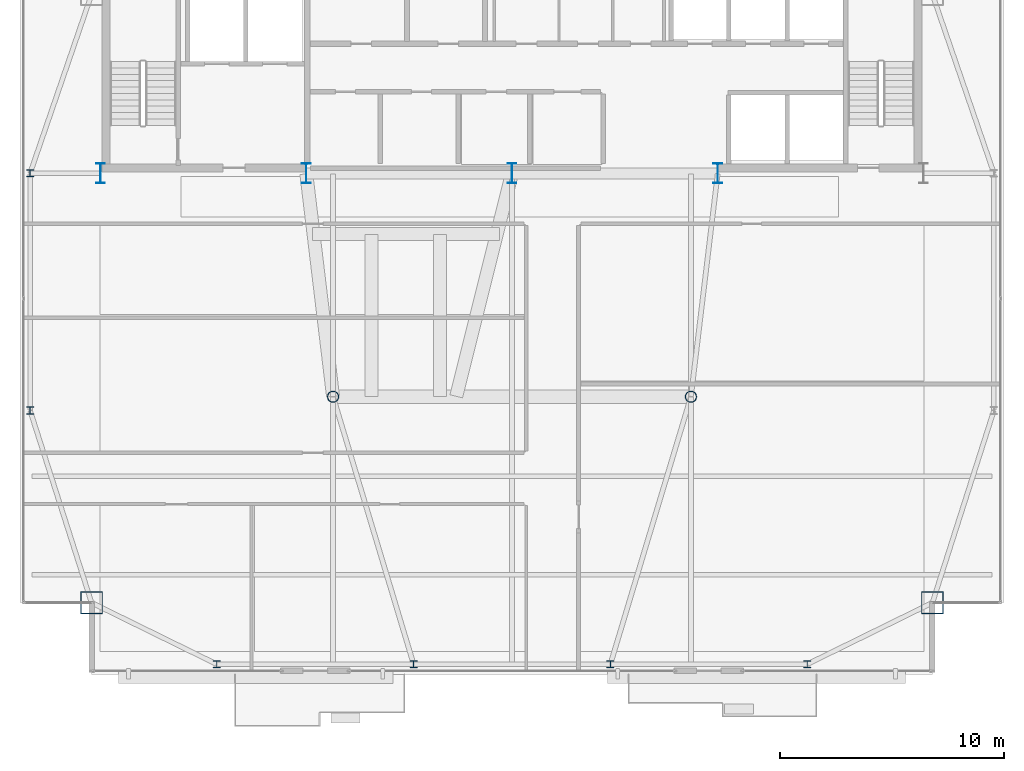
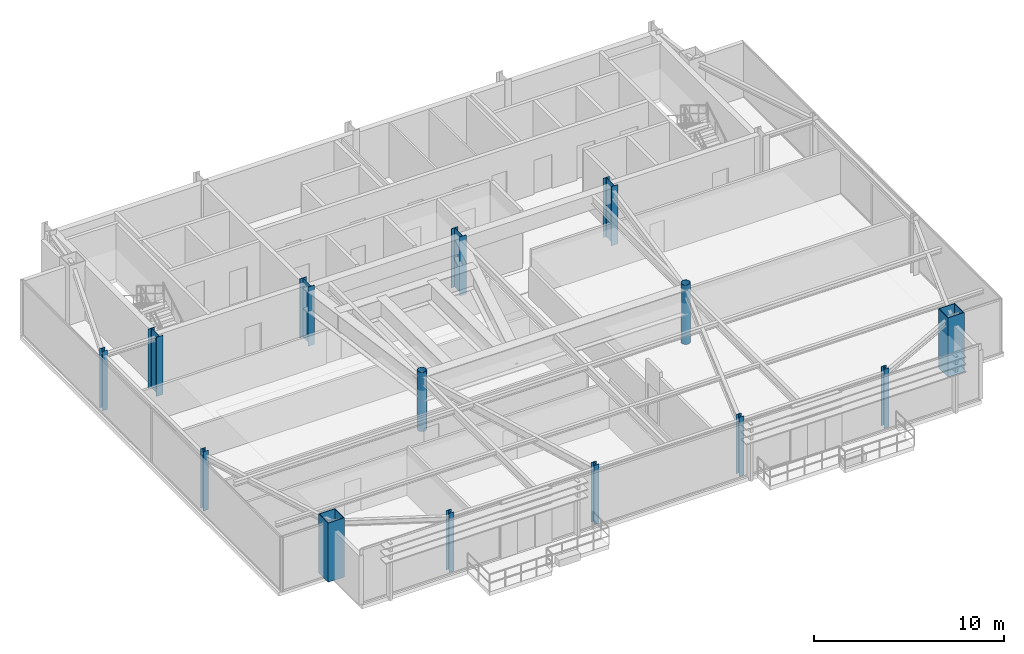
# One storey, part 1 of 21: 14 columns.
"""IFC4 building model written with IfcOpenShell, lengths in metres."""

import ifcopenshell
import ifcopenshell.guid

model = None  # the IFC model being written
_history = None  # IfcOwnerHistory: only IFC2X3 demands one
_inside = {}  # id of a spatial element -> (the spatial element, [elements in it])
_under = {}  # id of a project, library or spatial element -> (it, [spatial elements below it])
_declared = {}  # id of a project -> (the project, [libraries it declares])
_typed = {}  # id of a type object -> (the type object, [elements of that type])
_made_of = {}  # id of a material, layer set ... -> (it, [elements and type objects made of it])


def new_model(schema):
    """Start an empty IFC model of exactly this schema.

    Asked for "IFC4X3", IfcOpenShell would pick the latest addendum, in which some entities
    have other attributes; the version numbers below select the first issue.
    IFC2X3 requires an IfcOwnerHistory on every rooted entity: one is made here for all.
    """
    global model, _history
    if schema == "IFC4X3":
        model = ifcopenshell.file(schema_version=(4, 3, 0, 0))
    else:
        model = ifcopenshell.file(schema=schema)
    _inside.clear()
    _under.clear()
    _declared.clear()
    _typed.clear()
    _made_of.clear()
    _history = None
    if model.schema == "IFC2X3":
        org = make("IfcOrganization", Name="unknown")
        user = make(
            "IfcPersonAndOrganization",
            ThePerson=make("IfcPerson", FamilyName="unknown"),
            TheOrganization=org,
        )
        app = make(
            "IfcApplication",
            ApplicationDeveloper=org,
            Version="unknown",
            ApplicationFullName="unknown",
            ApplicationIdentifier="unknown",
        )
        _history = make(
            "IfcOwnerHistory",
            OwningUser=user,
            OwningApplication=app,
            ChangeAction="ADDED",
            CreationDate=0,
        )
    return model


def make(cls, **values):
    """One entity of the class cls with the attributes given. An attribute that is None is left unset."""
    return model.create_entity(
        cls, **{name: value for name, value in values.items() if value is not None}
    )


def rooted(cls, **values):
    """An entity with a GlobalId (a new one), such as an element, a storey or a relation."""
    return make(cls, GlobalId=ifcopenshell.guid.new(), OwnerHistory=_history, **values)


def si_unit(unit_type, name, prefix=None):
    """IfcSIUnit, for example si_unit("LENGTHUNIT", "METRE", prefix="MILLI")."""
    return make("IfcSIUnit", UnitType=unit_type, Prefix=prefix, Name=name)


def assignment(units):
    """IfcUnitAssignment: the units of a project."""
    return None if units is None else make("IfcUnitAssignment", Units=units)


def point(xyz):
    """IfcCartesianPoint."""
    return None if xyz is None else make("IfcCartesianPoint", Coordinates=xyz)


def direction(xyz):
    """IfcDirection."""
    return None if xyz is None else make("IfcDirection", DirectionRatios=xyz)


def frame(location, z_axis=None, x_axis=None):
    """IfcAxis2Placement3D, a coordinate frame: its origin and axes. An axis left out is left unset."""
    return make(
        "IfcAxis2Placement3D",
        Location=point(location),
        Axis=direction(z_axis),
        RefDirection=direction(x_axis),
    )


def frame_2d(location, x_axis=None):
    """IfcAxis2Placement2D, a coordinate frame in the plane: its origin and x axis."""
    return make(
        "IfcAxis2Placement2D", Location=point(location), RefDirection=direction(x_axis)
    )


def origin():
    """The frame at (0, 0, 0) with its axes left unset."""
    return frame((0.0, 0.0, 0.0))


def origin_2d():
    """The frame at (0, 0) in the plane with its x axis left unset."""
    return frame_2d((0.0, 0.0))


def place(relative_to, where):
    """IfcLocalPlacement: puts the frame where relative to a parent placement (None: the world)."""
    return make(
        "IfcLocalPlacement", PlacementRelTo=relative_to, RelativePlacement=where
    )


def context(
    kind, dimensions, precision=None, world=None, true_north=None, identifier=None
):
    """IfcGeometricRepresentationContext, for example the 3D "Model" context."""
    return make(
        "IfcGeometricRepresentationContext",
        ContextIdentifier=identifier,
        ContextType=kind,
        CoordinateSpaceDimension=dimensions,
        Precision=precision,
        WorldCoordinateSystem=world,
        TrueNorth=true_north,
    )


def subcontext(parent, identifier, kind, view, scale=None):
    """IfcGeometricRepresentationSubContext, for example "Body" below "Model"."""
    return make(
        "IfcGeometricRepresentationSubContext",
        ContextIdentifier=identifier,
        ContextType=kind,
        ParentContext=parent,
        TargetScale=scale,
        TargetView=view,
    )


def project(units=None, contexts=None):
    """IfcProject with its units and contexts."""
    return rooted(
        "IfcProject",
        Name="project",
        RepresentationContexts=contexts,
        UnitsInContext=assignment(units),
    )


def spatial(cls, under=None, at=None, **own):
    """A site, building, storey or space (cls), placed at a placement, below another one or the project."""
    s = rooted(cls, ObjectPlacement=at, **own)
    if under is not None:
        _under.setdefault(under.id(), (under, []))[1].append(s)
    return s


def profile(cls, at=None, kind="AREA", **sizes):
    """A parametric profile (cls). Its sizes go by their IFC names, for example OverallWidth=200.0."""
    return make(cls, ProfileType=kind, Position=at, **sizes)


def hollow_rectangle(**sizes):
    """IfcRectangleHollowProfileDef."""
    return profile("IfcRectangleHollowProfileDef", **sizes)


def hollow_circle(**sizes):
    """IfcCircleHollowProfileDef."""
    return profile("IfcCircleHollowProfileDef", **sizes)


def i_section(**sizes):
    """IfcIShapeProfileDef."""
    return profile("IfcIShapeProfileDef", **sizes)


def extrude(swept, where, along, depth):
    """IfcExtrudedAreaSolid: the profile swept, set in the frame where, extruded along a direction by depth."""
    return make(
        "IfcExtrudedAreaSolid",
        SweptArea=swept,
        Position=where,
        ExtrudedDirection=direction(along),
        Depth=depth,
    )


def shape(context_of_items, identifier, shape_type, items):
    """IfcShapeRepresentation: the items that make up one representation, for example the "Body"."""
    return make(
        "IfcShapeRepresentation",
        ContextOfItems=context_of_items,
        RepresentationIdentifier=identifier,
        RepresentationType=shape_type,
        Items=items,
    )


def source(mapping_origin, context_of_items, identifier, shape_type, items):
    """IfcRepresentationMap: a shape defined once, which mapped items show again and again."""
    return make(
        "IfcRepresentationMap",
        MappingOrigin=mapping_origin,
        MappedRepresentation=shape(context_of_items, identifier, shape_type, items),
    )


def transform(
    local_origin,
    x_axis=None,
    y_axis=None,
    z_axis=None,
    scale=None,
    scale2=None,
    scale3=None,
    uniform=True,
):
    """IfcCartesianTransformationOperator3D, or its non-uniform kind. x_axis, y_axis, z_axis: its Axis1, 2, 3."""
    if uniform:
        return make(
            "IfcCartesianTransformationOperator3D",
            Axis1=direction(x_axis),
            Axis2=direction(y_axis),
            LocalOrigin=point(local_origin),
            Scale=scale,
            Axis3=direction(z_axis),
        )
    return make(
        "IfcCartesianTransformationOperator3DnonUniform",
        Axis1=direction(x_axis),
        Axis2=direction(y_axis),
        LocalOrigin=point(local_origin),
        Scale=scale,
        Axis3=direction(z_axis),
        Scale2=scale2,
        Scale3=scale3,
    )


def mapped(mapping_source, mapping_target):
    """IfcMappedItem: shows the shape of a source again, moved by a transform."""
    return make(
        "IfcMappedItem", MappingSource=mapping_source, MappingTarget=mapping_target
    )


def material(Name=None, Category=None):
    """IfcMaterial."""
    return make("IfcMaterial", Name=Name, Category=Category)


def material_profile(
    of_material, cross_section, Name=None, Category=None, Priority=None
):
    """IfcMaterialProfile: a cross section and its material."""
    return make(
        "IfcMaterialProfile",
        Name=Name,
        Material=of_material,
        Profile=cross_section,
        Priority=Priority,
        Category=Category,
    )


def profile_set(profiles, Name=None, composite=None):
    """IfcMaterialProfileSet."""
    return make(
        "IfcMaterialProfileSet",
        Name=Name,
        MaterialProfiles=profiles,
        CompositeProfile=composite,
    )


def made_of(thing, what):
    """Note that an element or type object is made of a material, layer set ...; save() writes the relation."""
    if what is not None:
        _made_of.setdefault(what.id(), (what, []))[1].append(thing)
    return thing


def type_object(cls, material=None, **own):
    """A type object (cls), such as IfcWallType, which elements share."""
    return made_of(rooted(cls, **own), material)


def type_shapes(of_type, sources):
    """Give a type object the sources (RepresentationMaps) that its elements show as mapped items."""
    of_type.RepresentationMaps = sources


def element(
    cls,
    number,
    at=None,
    inside=None,
    cuts=None,
    type_object=None,
    material=None,
    context=None,
    identifier="Body",
    shape_type=None,
    held_by="IfcProductDefinitionShape",
    body=None,
    shapes=None,
    **own,
):
    """One element of the class cls, such as IfcWall. Its Tag is "e" and its number.

    at: its placement. inside: the storey or other place that contains it. cuts: it is an
    opening in that element (IfcRelVoidsElement). A single representation is given by context,
    identifier, shape_type and body (its items); several are given by shapes. held_by: the class
    of the entity that holds the representations. save() writes the other relations.
    """
    e = rooted(cls, Tag="e%d" % number, ObjectPlacement=at, **own)
    if body is not None:
        shapes = [shape(context, identifier, shape_type, body)]
    if shapes is not None:
        e.Representation = make(held_by, Representations=shapes)
    if inside is not None:
        _inside.setdefault(inside.id(), (inside, []))[1].append(e)
    if cuts is not None:
        rooted(
            "IfcRelVoidsElement", RelatingBuildingElement=cuts, RelatedOpeningElement=e
        )
    if type_object is not None:
        _typed.setdefault(type_object.id(), (type_object, []))[1].append(e)
    return made_of(e, material)


def aggregate(whole, parts):
    """IfcRelAggregates: a whole, such as a stair, and the parts it consists of."""
    return rooted("IfcRelAggregates", RelatingObject=whole, RelatedObjects=parts)


def save(model, path):
    """Write the relations noted so far, then the file.

    IfcRelAggregates (storeys below a building ...), IfcRelContainedInSpatialStructure (elements
    in a storey), IfcRelDefinesByType, IfcRelAssociatesMaterial and IfcRelDeclares: one each for
    every whole, place, type object, material and project.
    """
    for whole, parts in _under.values():
        aggregate(whole, parts)
    for where, things in _inside.values():
        rooted(
            "IfcRelContainedInSpatialStructure",
            RelatedElements=things,
            RelatingStructure=where,
        )
    for kind, things in _typed.values():
        rooted("IfcRelDefinesByType", RelatedObjects=things, RelatingType=kind)
    for what, things in _made_of.values():
        rooted("IfcRelAssociatesMaterial", RelatedObjects=things, RelatingMaterial=what)
    for by, libraries in _declared.values():
        rooted("IfcRelDeclares", RelatingContext=by, RelatedDefinitions=libraries)
    model.write(path)


model = new_model("IFC4")

# Units and contexts
model_context = context("Model", 3, precision=1e-05, world=origin(), true_north=direction((0.0, 1.0)))
body_context = subcontext(model_context, "Body", "Model", "MODEL_VIEW")
ifc_project = project(units=[si_unit("LENGTHUNIT", "METRE"), si_unit("AREAUNIT", "SQUARE_METRE"), si_unit("VOLUMEUNIT", "CUBIC_METRE"), si_unit("PLANEANGLEUNIT", "RADIAN"), si_unit("MASSUNIT", "GRAM", prefix="KILO")], contexts=[model_context])

# Site, building, storey
site_placement = place(None, origin())
site = spatial("IfcSite", under=ifc_project, at=site_placement, CompositionType="ELEMENT")
building_placement = place(site_placement, origin())
building = spatial("IfcBuilding", under=site, at=building_placement, Name="Varnel Quay Broadcast Tower", CompositionType="ELEMENT")
storey_placement = place(building_placement, frame((0.0, 0.0, 296.39990234375)))
storey = spatial("IfcBuildingStorey", under=building, at=storey_placement, Name="L74", CompositionType="ELEMENT", Elevation=296.39990234375)

# Columns
ifc_material_1 = material(Name="Structural Steel CSA G40.21 350WT", Category="steel")
ifc_material_profile_1 = material_profile(ifc_material_1, i_section(OverallWidth=0.39990234375, OverallDepth=0.89990234375, WebThickness=0.01611328125, FlangeThickness=0.028076171875, FilletRadius=0.01611328125, at=origin_2d()), Name="WWF900X309")
ifc_profile_set_1 = profile_set([ifc_material_profile_1], Name="Structural Steel CSA G40.21 350WT")
column_type_1 = type_object("IfcColumnType", Name="Col_WWF900X309", PredefinedType="COLUMN", material=ifc_profile_set_1)
shared_shape_1 = source(origin(), body_context, "Body", "SweptSolid", [
    extrude(i_section(OverallWidth=0.39990234375, OverallDepth=0.89990234375, WebThickness=0.01611328125, FlangeThickness=0.028076171875, FilletRadius=0.01611328125, at=origin_2d()), origin(), (0.0, 0.0, 1.0), 3.800048828125),
])
type_shapes(column_type_1, [shared_shape_1])
for number, where, z_axis, x_axis, name in (
    (1, (15.60009765625, 35.60009765625, 0.0), (0.0, 0.0, 1.0), (1.0, 0.0, 0.0), "L74 Column CC-S1"),
    (2, (24.800048828125, 35.60009765625, 0.0), (0.0, 0.0, 1.0), (1.0, 0.0, 0.0), "L74 Column CC-S2"),
    (3, (34.0, 35.60009765625, 0.0), (0.0, 0.0, 1.0), (1.0, 0.0, 0.0), "L74 Column CC-S3"),
    (4, (43.199951171875, 35.60009765625, 0.0), (0.0, 0.0, 1.0), (1.0, 0.0, 0.0), "L74 Column CC-S4"),
):
    element("IfcColumn", number, at=place(storey_placement, frame(where, z_axis=z_axis, x_axis=x_axis)), inside=storey, type_object=column_type_1, Name=name, PredefinedType="COLUMN", context=body_context, shape_type="MappedRepresentation", body=[
        mapped(shared_shape_1, transform((0.0, 0.0, 0.0), x_axis=(1.0, 0.0, 0.0), y_axis=(0.0, 1.0, 0.0), z_axis=(0.0, 0.0, 1.0), scale=1.0)),
    ])
ifc_material_profile_2 = material_profile(ifc_material_1, hollow_rectangle(XDim=1.0, YDim=1.0, WallThickness=0.0400390625, at=origin_2d()), Name="BOX1000X1000X40")
ifc_profile_set_2 = profile_set([ifc_material_profile_2], Name="Structural Steel CSA G40.21 350WT")
column_type_2 = type_object("IfcColumnType", Name="Col_BOX1000X1000X40", PredefinedType="COLUMN", material=ifc_profile_set_2)
shared_shape_2 = source(origin(), body_context, "Body", "SweptSolid", [
    extrude(hollow_rectangle(XDim=1.0, YDim=1.0, WallThickness=0.0400390625, at=origin_2d()), origin(), (0.0, 0.0, 1.0), 3.800048828125),
])
type_shapes(column_type_2, [shared_shape_2])
for number, where, z_axis, x_axis, name in (
    (5, (15.199951171875, 16.39990234375, 0.0), (0.0, 0.0, 1.0), (1.0, 0.0, 0.0), "L74 Column MC-SW"),
    (6, (52.800048828125, 16.39990234375, 0.0), (0.0, 0.0, 1.0), (1.0, 0.0, 0.0), "L74 Column MC-SE"),
):
    element("IfcColumn", number, at=place(storey_placement, frame(where, z_axis=z_axis, x_axis=x_axis)), inside=storey, type_object=column_type_2, Name=name, PredefinedType="COLUMN", context=body_context, shape_type="MappedRepresentation", body=[
        mapped(shared_shape_2, transform((0.0, 0.0, 0.0), x_axis=(1.0, 0.0, 0.0), y_axis=(0.0, 1.0, 0.0), z_axis=(0.0, 0.0, 1.0), scale=1.0)),
    ])
ifc_material_2 = material(Name="Structural Steel CSA G40.21 350W", Category="steel")
ifc_material_profile_3 = material_profile(ifc_material_2, i_section(OverallWidth=0.30908203125, OverallDepth=0.322998046875, WebThickness=0.013916015625, FlangeThickness=0.02294921875, FilletRadius=0.014892578125, at=origin_2d()), Name="W310X143")
ifc_profile_set_3 = profile_set([ifc_material_profile_3], Name="Structural Steel CSA G40.21 350W")
column_type_3 = type_object("IfcColumnType", Name="Col_W310X143", PredefinedType="COLUMN", material=ifc_profile_set_3)
shared_shape_3 = source(origin(), body_context, "Body", "SweptSolid", [
    extrude(i_section(OverallWidth=0.30908203125, OverallDepth=0.322998046875, WebThickness=0.013916015625, FlangeThickness=0.02294921875, FilletRadius=0.014892578125, at=origin_2d()), origin(), (0.0, 0.0, 1.0), 3.800048828125),
])
type_shapes(column_type_3, [shared_shape_3])
for number, where, z_axis, x_axis, name in (
    (7, (20.800048828125, 13.64990234375, 0.0), (0.0, 0.0, 1.0), (1.0, 0.0, 0.0), "L74 Column TC-S1"),
    (8, (29.60009765625, 13.64990234375, 0.0), (0.0, 0.0, 1.0), (1.0, 0.0, 0.0), "L74 Column TC-S2"),
    (9, (38.39990234375, 13.64990234375, 0.0), (0.0, 0.0, 1.0), (1.0, 0.0, 0.0), "L74 Column TC-S3"),
    (10, (47.199951171875, 13.64990234375, 0.0), (0.0, 0.0, 1.0), (1.0, 0.0, 0.0), "L74 Column TC-S4"),
    (11, (12.449951171875, 25.0, 0.0), (0.0, 0.0, 1.0), (1.0, 0.0, 0.0), "L74 Column TC-W1"),
    (12, (12.449951171875, 35.60009765625, 0.0), (0.0, 0.0, 1.0), (1.0, 0.0, 0.0), "L74 Column TC-W2"),
):
    element("IfcColumn", number, at=place(storey_placement, frame(where, z_axis=z_axis, x_axis=x_axis)), inside=storey, type_object=column_type_3, Name=name, PredefinedType="COLUMN", context=body_context, shape_type="MappedRepresentation", body=[
        mapped(shared_shape_3, transform((0.0, 0.0, 0.0), x_axis=(1.0, 0.0, 0.0), y_axis=(0.0, 1.0, 0.0), z_axis=(0.0, 0.0, 1.0), scale=1.0)),
    ])
ifc_material_profile_4 = material_profile(ifc_material_2, hollow_circle(Radius=0.25390625, WallThickness=0.02001953125, at=origin_2d()), Name="CHS508X20")
ifc_profile_set_4 = profile_set([ifc_material_profile_4], Name="Structural Steel CSA G40.21 350W")
column_type_4 = type_object("IfcColumnType", Name="Col_CHS508X20", PredefinedType="COLUMN", material=ifc_profile_set_4)
shared_shape_4 = source(origin(), body_context, "Body", "SweptSolid", [
    extrude(hollow_circle(Radius=0.25390625, WallThickness=0.02001953125, at=origin_2d()), origin(), (0.0, 0.0, 1.0), 3.800048828125),
])
type_shapes(column_type_4, [shared_shape_4])
for number, where, z_axis, x_axis, name in (
    (13, (26.0, 25.610107421875, 0.0), (0.0, 0.0, 1.0), (1.0, 0.0, 0.0), "L74 Column IC-01"),
    (14, (42.0, 25.610107421875, 0.0), (0.0, 0.0, 1.0), (1.0, 0.0, 0.0), "L74 Column IC-02"),
):
    element("IfcColumn", number, at=place(storey_placement, frame(where, z_axis=z_axis, x_axis=x_axis)), inside=storey, type_object=column_type_4, Name=name, PredefinedType="COLUMN", context=body_context, shape_type="MappedRepresentation", body=[
        mapped(shared_shape_4, transform((0.0, 0.0, 0.0), x_axis=(1.0, 0.0, 0.0), y_axis=(0.0, 1.0, 0.0), z_axis=(0.0, 0.0, 1.0), scale=1.0)),
    ])

save(model, "model.ifc")
